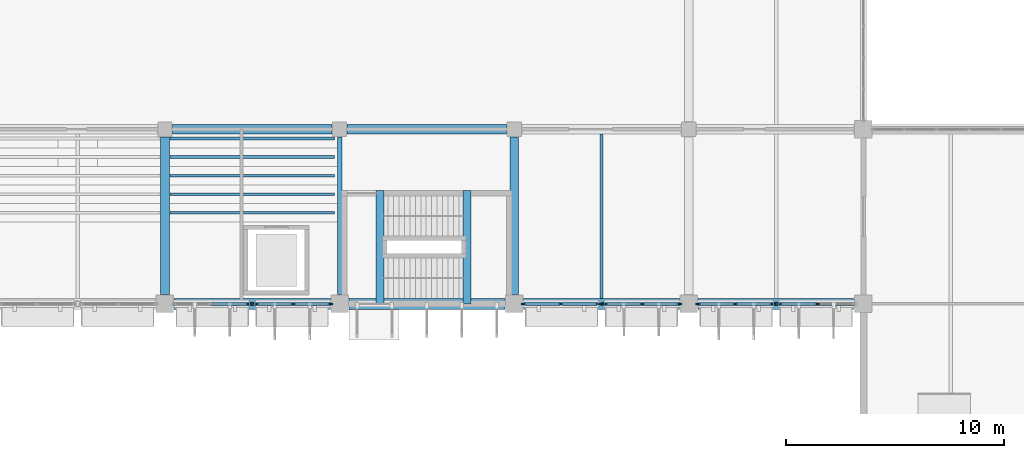
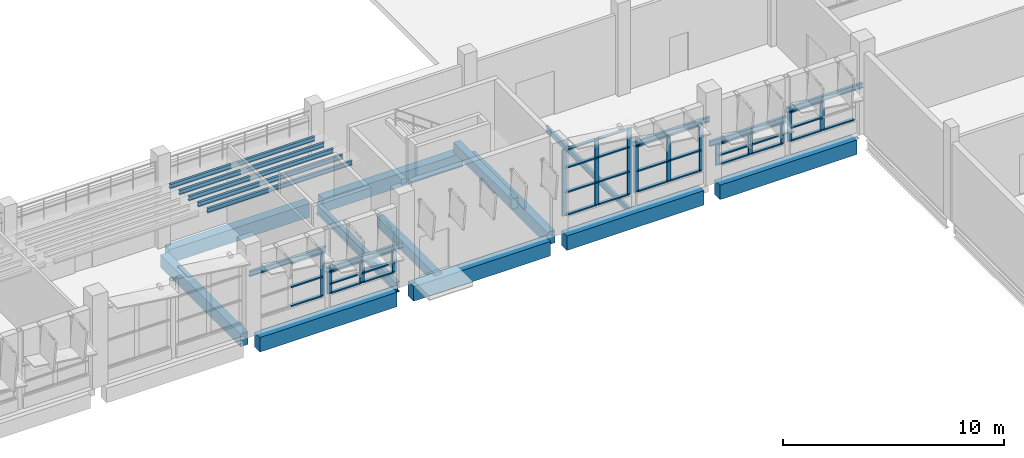
# One storey, part 18 of 103: 48 members, 22 beams, 6 elements without a shape of their own.
"""IFC4 building model written with IfcOpenShell, lengths in metres."""

from ifc_helpers import new_model, si_unit, direction, frame, origin, origin_2d, place, context, subcontext, project, spatial, rectangle, i_section, extrude, material, layer, layer_set, material_profile, profile_set, type_object, element, aggregate, save


model = new_model("IFC4")

# Units and contexts
model_context = context("Model", 3, precision=1e-05, world=origin(), true_north=direction((0.0, 1.0)))
body_context = subcontext(model_context, "Body", "Model", "MODEL_VIEW")
ifc_project = project(units=[si_unit("LENGTHUNIT", "METRE"), si_unit("AREAUNIT", "SQUARE_METRE"), si_unit("VOLUMEUNIT", "CUBIC_METRE"), si_unit("PLANEANGLEUNIT", "RADIAN"), si_unit("MASSUNIT", "GRAM", prefix="KILO")], contexts=[model_context])

# Site, building, storey
site_placement = place(None, origin())
site = spatial("IfcSite", under=ifc_project, at=site_placement, CompositionType="ELEMENT")
building_placement = place(site_placement, origin())
building = spatial("IfcBuilding", under=site, at=building_placement, Name="Drelvana Railside Aquatics Centre", CompositionType="ELEMENT")
storey_placement = place(building_placement, origin())
storey = spatial("IfcBuildingStorey", under=building, at=storey_placement, Name="L00", CompositionType="ELEMENT", Elevation=0.0)

# Curtain wall, member
ifc_material_1 = material(Name="Bronze-anodised aluminium curtain wall", Category="aluminium")
ifc_layer = layer(ifc_material_1, 0.199951171875, Name="Bronze-anodised aluminium curtain wall")
ifc_layer_set = layer_set([ifc_layer], Name="Bronze-anodised aluminium curtain wall")
curtain_wall_type = type_object("IfcCurtainWallType", Name="CW-Z1-SINE", PredefinedType="NOTDEFINED", material=ifc_layer_set)
curtain_wall_1_placement = place(storey_placement, origin())
curtain_wall_1 = element("IfcCurtainWall", 1, at=curtain_wall_1_placement, inside=storey, type_object=curtain_wall_type, Name="Curtain wall CW-01-011", PredefinedType="NOTDEFINED")
ifc_material_2 = material(Name="Bronze-anodised aluminium 6063-T6", Category="aluminium")
ifc_material_profile_1 = material_profile(ifc_material_2, rectangle(XDim=0.074951171875, YDim=0.22509765625, at=origin_2d()), Name="ALU-M 75x225")
ifc_profile_set_1 = profile_set([ifc_material_profile_1], Name="Bronze-anodised aluminium 6063-T6")
member_type_1 = type_object("IfcMemberType", Name="CW-Z1-SINE-MUL", PredefinedType="MULLION", material=ifc_profile_set_1)
member_1_placement = place(storey_placement, frame((67.822509765625, 16.0, 0.64404296875), z_axis=(0.0, 0.0, 1.0), x_axis=(0.0, 1.0, 0.0)))
member_1 = element("IfcMember", 2, at=member_1_placement, type_object=member_type_1, Name="CW-01 mullion 3", PredefinedType="MULLION", context=body_context, shape_type="SweptSolid", body=[
    extrude(rectangle(XDim=0.074951171875, YDim=0.22509765625, at=origin_2d()), origin(), (0.0, 0.0, 1.0), 2.4140625),
])

# Curtain wall, members
curtain_wall_2_placement = place(storey_placement, origin())
curtain_wall_2 = element("IfcCurtainWall", 3, at=curtain_wall_2_placement, inside=storey, type_object=curtain_wall_type, Name="Curtain wall CW-01-012", PredefinedType="NOTDEFINED")
member_2_placement = place(storey_placement, frame((68.177490234375, 16.0, 0.64404296875), z_axis=(0.0, 0.0, 1.0), x_axis=(0.0, 1.0, 0.0)))
member_2 = element("IfcMember", 4, at=member_2_placement, type_object=member_type_1, Name="CW-01 mullion 1", PredefinedType="MULLION", context=body_context, shape_type="SweptSolid", body=[
    extrude(rectangle(XDim=0.074951171875, YDim=0.22509765625, at=origin_2d()), origin(), (0.0, 0.0, 1.0), 1.22607421875),
])
member_3_placement = place(storey_placement, frame((69.873046875, 16.0, 0.64404296875), z_axis=(0.0, 0.0, 1.0), x_axis=(0.0, 1.0, 0.0)))
member_3 = element("IfcMember", 5, at=member_3_placement, type_object=member_type_1, Name="CW-01 mullion 2", PredefinedType="MULLION", context=body_context, shape_type="SweptSolid", body=[
    extrude(rectangle(XDim=0.074951171875, YDim=0.22509765625, at=origin_2d()), origin(), (0.0, 0.0, 1.0), 1.22607421875),
])
member_4_placement = place(storey_placement, frame((71.568603515625, 16.0, 0.64404296875), z_axis=(0.0, 0.0, 1.0), x_axis=(0.0, 1.0, 0.0)))
member_4 = element("IfcMember", 6, at=member_4_placement, type_object=member_type_1, Name="CW-01 mullion 3", PredefinedType="MULLION", context=body_context, shape_type="SweptSolid", body=[
    extrude(rectangle(XDim=0.074951171875, YDim=0.22509765625, at=origin_2d()), origin(), (0.0, 0.0, 1.0), 1.22607421875),
])

curtain_wall_3_placement = place(storey_placement, origin())
curtain_wall_3 = element("IfcCurtainWall", 7, at=curtain_wall_3_placement, inside=storey, type_object=curtain_wall_type, Name="Curtain wall CW-01-013", PredefinedType="NOTDEFINED")
member_5_placement = place(storey_placement, frame((80.431396484375, 16.0, 0.64404296875), z_axis=(0.0, 0.0, 1.0), x_axis=(0.0, 1.0, 0.0)))
member_5 = element("IfcMember", 8, at=member_5_placement, type_object=member_type_1, Name="CW-01 mullion 1", PredefinedType="MULLION", context=body_context, shape_type="SweptSolid", body=[
    extrude(rectangle(XDim=0.074951171875, YDim=0.22509765625, at=origin_2d()), origin(), (0.0, 0.0, 1.0), 3.660888671875),
])
member_6_placement = place(storey_placement, frame((82.126953125, 16.0, 0.64404296875), z_axis=(0.0, 0.0, 1.0), x_axis=(0.0, 1.0, 0.0)))
member_6 = element("IfcMember", 9, at=member_6_placement, type_object=member_type_1, Name="CW-01 mullion 2", PredefinedType="MULLION", context=body_context, shape_type="SweptSolid", body=[
    extrude(rectangle(XDim=0.074951171875, YDim=0.22509765625, at=origin_2d()), origin(), (0.0, 0.0, 1.0), 3.660888671875),
])
member_7_placement = place(storey_placement, frame((83.822509765625, 16.0, 0.64404296875), z_axis=(0.0, 0.0, 1.0), x_axis=(0.0, 1.0, 0.0)))
member_7 = element("IfcMember", 10, at=member_7_placement, type_object=member_type_1, Name="CW-01 mullion 3", PredefinedType="MULLION", context=body_context, shape_type="SweptSolid", body=[
    extrude(rectangle(XDim=0.074951171875, YDim=0.22509765625, at=origin_2d()), origin(), (0.0, 0.0, 1.0), 3.660888671875),
])

curtain_wall_4_placement = place(storey_placement, origin())
curtain_wall_4 = element("IfcCurtainWall", 11, at=curtain_wall_4_placement, inside=storey, type_object=curtain_wall_type, Name="Curtain wall CW-01-014", PredefinedType="NOTDEFINED")
member_8_placement = place(storey_placement, frame((84.177490234375, 16.0, 0.64404296875), z_axis=(0.0, 0.0, 1.0), x_axis=(0.0, 1.0, 0.0)))
member_8 = element("IfcMember", 12, at=member_8_placement, type_object=member_type_1, Name="CW-01 mullion 1", PredefinedType="MULLION", context=body_context, shape_type="SweptSolid", body=[
    extrude(rectangle(XDim=0.074951171875, YDim=0.22509765625, at=origin_2d()), origin(), (0.0, 0.0, 1.0), 2.557861328125),
])
member_9_placement = place(storey_placement, frame((85.873046875, 16.0, 0.64404296875), z_axis=(0.0, 0.0, 1.0), x_axis=(0.0, 1.0, 0.0)))
member_9 = element("IfcMember", 13, at=member_9_placement, type_object=member_type_1, Name="CW-01 mullion 2", PredefinedType="MULLION", context=body_context, shape_type="SweptSolid", body=[
    extrude(rectangle(XDim=0.074951171875, YDim=0.22509765625, at=origin_2d()), origin(), (0.0, 0.0, 1.0), 2.557861328125),
])
member_10_placement = place(storey_placement, frame((87.568603515625, 16.0, 0.64404296875), z_axis=(0.0, 0.0, 1.0), x_axis=(0.0, 1.0, 0.0)))
member_10 = element("IfcMember", 14, at=member_10_placement, type_object=member_type_1, Name="CW-01 mullion 3", PredefinedType="MULLION", context=body_context, shape_type="SweptSolid", body=[
    extrude(rectangle(XDim=0.074951171875, YDim=0.22509765625, at=origin_2d()), origin(), (0.0, 0.0, 1.0), 2.557861328125),
])

curtain_wall_5_placement = place(storey_placement, origin())
curtain_wall_5 = element("IfcCurtainWall", 15, at=curtain_wall_5_placement, inside=storey, type_object=curtain_wall_type, Name="Curtain wall CW-01-015", PredefinedType="NOTDEFINED")
member_11_placement = place(storey_placement, frame((88.431396484375, 16.0, 0.64404296875), z_axis=(0.0, 0.0, 1.0), x_axis=(0.0, 1.0, 0.0)))
member_11 = element("IfcMember", 16, at=member_11_placement, type_object=member_type_1, Name="CW-01 mullion 1", PredefinedType="MULLION", context=body_context, shape_type="SweptSolid", body=[
    extrude(rectangle(XDim=0.074951171875, YDim=0.22509765625, at=origin_2d()), origin(), (0.0, 0.0, 1.0), 1.181884765625),
])
member_12_placement = place(storey_placement, frame((90.126953125, 16.0, 0.64404296875), z_axis=(0.0, 0.0, 1.0), x_axis=(0.0, 1.0, 0.0)))
member_12 = element("IfcMember", 17, at=member_12_placement, type_object=member_type_1, Name="CW-01 mullion 2", PredefinedType="MULLION", context=body_context, shape_type="SweptSolid", body=[
    extrude(rectangle(XDim=0.074951171875, YDim=0.22509765625, at=origin_2d()), origin(), (0.0, 0.0, 1.0), 1.181884765625),
])
member_13_placement = place(storey_placement, frame((91.822509765625, 16.0, 0.64404296875), z_axis=(0.0, 0.0, 1.0), x_axis=(0.0, 1.0, 0.0)))
member_13 = element("IfcMember", 18, at=member_13_placement, type_object=member_type_1, Name="CW-01 mullion 3", PredefinedType="MULLION", context=body_context, shape_type="SweptSolid", body=[
    extrude(rectangle(XDim=0.074951171875, YDim=0.22509765625, at=origin_2d()), origin(), (0.0, 0.0, 1.0), 1.181884765625),
])

curtain_wall_6_placement = place(storey_placement, origin())
curtain_wall_6 = element("IfcCurtainWall", 19, at=curtain_wall_6_placement, inside=storey, type_object=curtain_wall_type, Name="Curtain wall CW-01-016", PredefinedType="NOTDEFINED")
member_14_placement = place(storey_placement, frame((92.177490234375, 16.0, 0.64404296875), z_axis=(0.0, 0.0, 1.0), x_axis=(0.0, 1.0, 0.0)))
member_14 = element("IfcMember", 20, at=member_14_placement, type_object=member_type_1, Name="CW-01 mullion 1", PredefinedType="MULLION", context=body_context, shape_type="SweptSolid", body=[
    extrude(rectangle(XDim=0.074951171875, YDim=0.22509765625, at=origin_2d()), origin(), (0.0, 0.0, 1.0), 1.635009765625),
])
member_15_placement = place(storey_placement, frame((93.873046875, 16.0, 0.64404296875), z_axis=(0.0, 0.0, 1.0), x_axis=(0.0, 1.0, 0.0)))
member_15 = element("IfcMember", 21, at=member_15_placement, type_object=member_type_1, Name="CW-01 mullion 2", PredefinedType="MULLION", context=body_context, shape_type="SweptSolid", body=[
    extrude(rectangle(XDim=0.074951171875, YDim=0.22509765625, at=origin_2d()), origin(), (0.0, 0.0, 1.0), 1.635009765625),
])

# Member
ifc_material_profile_2 = material_profile(ifc_material_2, rectangle(XDim=0.159912109375, YDim=0.070068359375, at=origin_2d()), Name="ALU-T 70x160")
ifc_profile_set_2 = profile_set([ifc_material_profile_2], Name="Bronze-anodised aluminium 6063-T6")
member_type_2 = type_object("IfcMemberType", Name="CW-Z1-SINE-TRN", PredefinedType="USERDEFINED", material=ifc_profile_set_2)
member_16_placement = place(storey_placement, frame((66.159423828125, 16.0, 0.678955078125), z_axis=(1.0, 0.0, 0.0), x_axis=(0.0, 1.0, 0.0)))
member_16 = element("IfcMember", 22, at=member_16_placement, type_object=member_type_2, Name="CW-01 transom 2.1", ObjectType="TRANSOM", PredefinedType="USERDEFINED", context=body_context, shape_type="SweptSolid", body=[
    extrude(rectangle(XDim=0.159912109375, YDim=0.070068359375, at=origin_2d()), origin(), (0.0, 0.0, 1.0), 1.630615234375),
])

member_17_placement = place(storey_placement, frame((66.159423828125, 16.0, 1.72998046875), z_axis=(1.0, 0.0, 0.0), x_axis=(0.0, 1.0, 0.0)))
member_17 = element("IfcMember", 23, at=member_17_placement, type_object=member_type_2, Name="CW-01 transom 2.2", ObjectType="TRANSOM", PredefinedType="USERDEFINED", context=body_context, shape_type="SweptSolid", body=[
    extrude(rectangle(XDim=0.159912109375, YDim=0.070068359375, at=origin_2d()), origin(), (0.0, 0.0, 1.0), 1.630615234375),
])

member_18_placement = place(storey_placement, frame((66.159423828125, 16.0, 3.02294921875), z_axis=(1.0, 0.0, 0.0), x_axis=(0.0, 1.0, 0.0)))
member_18 = element("IfcMember", 24, at=member_18_placement, type_object=member_type_2, Name="CW-01 transom 2.3", ObjectType="TRANSOM", PredefinedType="USERDEFINED", context=body_context, shape_type="SweptSolid", body=[
    extrude(rectangle(XDim=0.159912109375, YDim=0.070068359375, at=origin_2d()), origin(), (0.0, 0.0, 1.0), 1.630615234375),
])

aggregate(curtain_wall_1, [member_1, member_16, member_17, member_18])

member_19_placement = place(storey_placement, frame((68.2099609375, 16.0, 0.678955078125), z_axis=(1.0, 0.0, 0.0), x_axis=(0.0, 1.0, 0.0)))
member_19 = element("IfcMember", 25, at=member_19_placement, type_object=member_type_2, Name="CW-01 transom 1.1", ObjectType="TRANSOM", PredefinedType="USERDEFINED", context=body_context, shape_type="SweptSolid", body=[
    extrude(rectangle(XDim=0.159912109375, YDim=0.070068359375, at=origin_2d()), origin(), (0.0, 0.0, 1.0), 1.630615234375),
])

member_20_placement = place(storey_placement, frame((68.2099609375, 16.0, 1.196044921875), z_axis=(1.0, 0.0, 0.0), x_axis=(0.0, 1.0, 0.0)))
member_20 = element("IfcMember", 26, at=member_20_placement, type_object=member_type_2, Name="CW-01 transom 1.2", ObjectType="TRANSOM", PredefinedType="USERDEFINED", context=body_context, shape_type="SweptSolid", body=[
    extrude(rectangle(XDim=0.159912109375, YDim=0.070068359375, at=origin_2d()), origin(), (0.0, 0.0, 1.0), 1.630615234375),
])

member_21_placement = place(storey_placement, frame((68.2099609375, 16.0, 1.8349609375), z_axis=(1.0, 0.0, 0.0), x_axis=(0.0, 1.0, 0.0)))
member_21 = element("IfcMember", 27, at=member_21_placement, type_object=member_type_2, Name="CW-01 transom 1.3", ObjectType="TRANSOM", PredefinedType="USERDEFINED", context=body_context, shape_type="SweptSolid", body=[
    extrude(rectangle(XDim=0.159912109375, YDim=0.070068359375, at=origin_2d()), origin(), (0.0, 0.0, 1.0), 1.630615234375),
])

member_22_placement = place(storey_placement, frame((69.905517578125, 16.0, 0.678955078125), z_axis=(1.0, 0.0, 0.0), x_axis=(0.0, 1.0, 0.0)))
member_22 = element("IfcMember", 28, at=member_22_placement, type_object=member_type_2, Name="CW-01 transom 2.1", ObjectType="TRANSOM", PredefinedType="USERDEFINED", context=body_context, shape_type="SweptSolid", body=[
    extrude(rectangle(XDim=0.159912109375, YDim=0.070068359375, at=origin_2d()), origin(), (0.0, 0.0, 1.0), 1.63037109375),
])

member_23_placement = place(storey_placement, frame((69.905517578125, 16.0, 1.196044921875), z_axis=(1.0, 0.0, 0.0), x_axis=(0.0, 1.0, 0.0)))
member_23 = element("IfcMember", 29, at=member_23_placement, type_object=member_type_2, Name="CW-01 transom 2.2", ObjectType="TRANSOM", PredefinedType="USERDEFINED", context=body_context, shape_type="SweptSolid", body=[
    extrude(rectangle(XDim=0.159912109375, YDim=0.070068359375, at=origin_2d()), origin(), (0.0, 0.0, 1.0), 1.63037109375),
])

member_24_placement = place(storey_placement, frame((69.905517578125, 16.0, 1.8349609375), z_axis=(1.0, 0.0, 0.0), x_axis=(0.0, 1.0, 0.0)))
member_24 = element("IfcMember", 30, at=member_24_placement, type_object=member_type_2, Name="CW-01 transom 2.3", ObjectType="TRANSOM", PredefinedType="USERDEFINED", context=body_context, shape_type="SweptSolid", body=[
    extrude(rectangle(XDim=0.159912109375, YDim=0.070068359375, at=origin_2d()), origin(), (0.0, 0.0, 1.0), 1.63037109375),
])

aggregate(curtain_wall_2, [member_2, member_3, member_4, member_19, member_20, member_21, member_22, member_23, member_24])

member_25_placement = place(storey_placement, frame((80.464111328125, 16.0, 0.678955078125), z_axis=(1.0, 0.0, 0.0), x_axis=(0.0, 1.0, 0.0)))
member_25 = element("IfcMember", 31, at=member_25_placement, type_object=member_type_2, Name="CW-01 transom 1.1", ObjectType="TRANSOM", PredefinedType="USERDEFINED", context=body_context, shape_type="SweptSolid", body=[
    extrude(rectangle(XDim=0.159912109375, YDim=0.070068359375, at=origin_2d()), origin(), (0.0, 0.0, 1.0), 1.63037109375),
])

member_26_placement = place(storey_placement, frame((80.464111328125, 16.0, 1.925048828125), z_axis=(1.0, 0.0, 0.0), x_axis=(0.0, 1.0, 0.0)))
member_26 = element("IfcMember", 32, at=member_26_placement, type_object=member_type_2, Name="CW-01 transom 1.2", ObjectType="TRANSOM", PredefinedType="USERDEFINED", context=body_context, shape_type="SweptSolid", body=[
    extrude(rectangle(XDim=0.159912109375, YDim=0.070068359375, at=origin_2d()), origin(), (0.0, 0.0, 1.0), 1.63037109375),
])

member_27_placement = place(storey_placement, frame((80.464111328125, 16.0, 3.280029296875), z_axis=(1.0, 0.0, 0.0), x_axis=(0.0, 1.0, 0.0)))
member_27 = element("IfcMember", 33, at=member_27_placement, type_object=member_type_2, Name="CW-01 transom 1.3", ObjectType="TRANSOM", PredefinedType="USERDEFINED", context=body_context, shape_type="SweptSolid", body=[
    extrude(rectangle(XDim=0.159912109375, YDim=0.070068359375, at=origin_2d()), origin(), (0.0, 0.0, 1.0), 1.63037109375),
])

member_28_placement = place(storey_placement, frame((80.464111328125, 16.0, 4.27001953125), z_axis=(1.0, 0.0, 0.0), x_axis=(0.0, 1.0, 0.0)))
member_28 = element("IfcMember", 34, at=member_28_placement, type_object=member_type_2, Name="CW-01 transom 1.4", ObjectType="TRANSOM", PredefinedType="USERDEFINED", context=body_context, shape_type="SweptSolid", body=[
    extrude(rectangle(XDim=0.159912109375, YDim=0.070068359375, at=origin_2d()), origin(), (0.0, 0.0, 1.0), 1.63037109375),
])

member_29_placement = place(storey_placement, frame((82.159423828125, 16.0, 0.678955078125), z_axis=(1.0, 0.0, 0.0), x_axis=(0.0, 1.0, 0.0)))
member_29 = element("IfcMember", 35, at=member_29_placement, type_object=member_type_2, Name="CW-01 transom 2.1", ObjectType="TRANSOM", PredefinedType="USERDEFINED", context=body_context, shape_type="SweptSolid", body=[
    extrude(rectangle(XDim=0.159912109375, YDim=0.070068359375, at=origin_2d()), origin(), (0.0, 0.0, 1.0), 1.630615234375),
])

member_30_placement = place(storey_placement, frame((82.159423828125, 16.0, 1.925048828125), z_axis=(1.0, 0.0, 0.0), x_axis=(0.0, 1.0, 0.0)))
member_30 = element("IfcMember", 36, at=member_30_placement, type_object=member_type_2, Name="CW-01 transom 2.2", ObjectType="TRANSOM", PredefinedType="USERDEFINED", context=body_context, shape_type="SweptSolid", body=[
    extrude(rectangle(XDim=0.159912109375, YDim=0.070068359375, at=origin_2d()), origin(), (0.0, 0.0, 1.0), 1.630615234375),
])

member_31_placement = place(storey_placement, frame((82.159423828125, 16.0, 3.280029296875), z_axis=(1.0, 0.0, 0.0), x_axis=(0.0, 1.0, 0.0)))
member_31 = element("IfcMember", 37, at=member_31_placement, type_object=member_type_2, Name="CW-01 transom 2.3", ObjectType="TRANSOM", PredefinedType="USERDEFINED", context=body_context, shape_type="SweptSolid", body=[
    extrude(rectangle(XDim=0.159912109375, YDim=0.070068359375, at=origin_2d()), origin(), (0.0, 0.0, 1.0), 1.630615234375),
])

member_32_placement = place(storey_placement, frame((82.159423828125, 16.0, 4.27001953125), z_axis=(1.0, 0.0, 0.0), x_axis=(0.0, 1.0, 0.0)))
member_32 = element("IfcMember", 38, at=member_32_placement, type_object=member_type_2, Name="CW-01 transom 2.4", ObjectType="TRANSOM", PredefinedType="USERDEFINED", context=body_context, shape_type="SweptSolid", body=[
    extrude(rectangle(XDim=0.159912109375, YDim=0.070068359375, at=origin_2d()), origin(), (0.0, 0.0, 1.0), 1.630615234375),
])

aggregate(curtain_wall_3, [member_5, member_6, member_7, member_25, member_26, member_27, member_28, member_29, member_30, member_31, member_32])

member_33_placement = place(storey_placement, frame((84.2099609375, 16.0, 0.678955078125), z_axis=(1.0, 0.0, 0.0), x_axis=(0.0, 1.0, 0.0)))
member_33 = element("IfcMember", 39, at=member_33_placement, type_object=member_type_2, Name="CW-01 transom 1.1", ObjectType="TRANSOM", PredefinedType="USERDEFINED", context=body_context, shape_type="SweptSolid", body=[
    extrude(rectangle(XDim=0.159912109375, YDim=0.070068359375, at=origin_2d()), origin(), (0.0, 0.0, 1.0), 1.630615234375),
])

member_34_placement = place(storey_placement, frame((84.2099609375, 16.0, 1.794921875), z_axis=(1.0, 0.0, 0.0), x_axis=(0.0, 1.0, 0.0)))
member_34 = element("IfcMember", 40, at=member_34_placement, type_object=member_type_2, Name="CW-01 transom 1.2", ObjectType="TRANSOM", PredefinedType="USERDEFINED", context=body_context, shape_type="SweptSolid", body=[
    extrude(rectangle(XDim=0.159912109375, YDim=0.070068359375, at=origin_2d()), origin(), (0.0, 0.0, 1.0), 1.630615234375),
])

member_35_placement = place(storey_placement, frame((84.2099609375, 16.0, 3.1669921875), z_axis=(1.0, 0.0, 0.0), x_axis=(0.0, 1.0, 0.0)))
member_35 = element("IfcMember", 41, at=member_35_placement, type_object=member_type_2, Name="CW-01 transom 1.3", ObjectType="TRANSOM", PredefinedType="USERDEFINED", context=body_context, shape_type="SweptSolid", body=[
    extrude(rectangle(XDim=0.159912109375, YDim=0.070068359375, at=origin_2d()), origin(), (0.0, 0.0, 1.0), 1.630615234375),
])

member_36_placement = place(storey_placement, frame((85.905517578125, 16.0, 0.678955078125), z_axis=(1.0, 0.0, 0.0), x_axis=(0.0, 1.0, 0.0)))
member_36 = element("IfcMember", 42, at=member_36_placement, type_object=member_type_2, Name="CW-01 transom 2.1", ObjectType="TRANSOM", PredefinedType="USERDEFINED", context=body_context, shape_type="SweptSolid", body=[
    extrude(rectangle(XDim=0.159912109375, YDim=0.070068359375, at=origin_2d()), origin(), (0.0, 0.0, 1.0), 1.63037109375),
])

member_37_placement = place(storey_placement, frame((85.905517578125, 16.0, 1.794921875), z_axis=(1.0, 0.0, 0.0), x_axis=(0.0, 1.0, 0.0)))
member_37 = element("IfcMember", 43, at=member_37_placement, type_object=member_type_2, Name="CW-01 transom 2.2", ObjectType="TRANSOM", PredefinedType="USERDEFINED", context=body_context, shape_type="SweptSolid", body=[
    extrude(rectangle(XDim=0.159912109375, YDim=0.070068359375, at=origin_2d()), origin(), (0.0, 0.0, 1.0), 1.63037109375),
])

member_38_placement = place(storey_placement, frame((85.905517578125, 16.0, 3.1669921875), z_axis=(1.0, 0.0, 0.0), x_axis=(0.0, 1.0, 0.0)))
member_38 = element("IfcMember", 44, at=member_38_placement, type_object=member_type_2, Name="CW-01 transom 2.3", ObjectType="TRANSOM", PredefinedType="USERDEFINED", context=body_context, shape_type="SweptSolid", body=[
    extrude(rectangle(XDim=0.159912109375, YDim=0.070068359375, at=origin_2d()), origin(), (0.0, 0.0, 1.0), 1.63037109375),
])

aggregate(curtain_wall_4, [member_8, member_9, member_10, member_33, member_34, member_35, member_36, member_37, member_38])

member_39_placement = place(storey_placement, frame((88.464111328125, 16.0, 0.678955078125), z_axis=(1.0, 0.0, 0.0), x_axis=(0.0, 1.0, 0.0)))
member_39 = element("IfcMember", 45, at=member_39_placement, type_object=member_type_2, Name="CW-01 transom 1.1", ObjectType="TRANSOM", PredefinedType="USERDEFINED", context=body_context, shape_type="SweptSolid", body=[
    extrude(rectangle(XDim=0.159912109375, YDim=0.070068359375, at=origin_2d()), origin(), (0.0, 0.0, 1.0), 1.63037109375),
])

member_40_placement = place(storey_placement, frame((88.464111328125, 16.0, 1.176025390625), z_axis=(1.0, 0.0, 0.0), x_axis=(0.0, 1.0, 0.0)))
member_40 = element("IfcMember", 46, at=member_40_placement, type_object=member_type_2, Name="CW-01 transom 1.2", ObjectType="TRANSOM", PredefinedType="USERDEFINED", context=body_context, shape_type="SweptSolid", body=[
    extrude(rectangle(XDim=0.159912109375, YDim=0.070068359375, at=origin_2d()), origin(), (0.0, 0.0, 1.0), 1.63037109375),
])

member_41_placement = place(storey_placement, frame((88.464111328125, 16.0, 1.791015625), z_axis=(1.0, 0.0, 0.0), x_axis=(0.0, 1.0, 0.0)))
member_41 = element("IfcMember", 47, at=member_41_placement, type_object=member_type_2, Name="CW-01 transom 1.3", ObjectType="TRANSOM", PredefinedType="USERDEFINED", context=body_context, shape_type="SweptSolid", body=[
    extrude(rectangle(XDim=0.159912109375, YDim=0.070068359375, at=origin_2d()), origin(), (0.0, 0.0, 1.0), 1.63037109375),
])

member_42_placement = place(storey_placement, frame((90.159423828125, 16.0, 0.678955078125), z_axis=(1.0, 0.0, 0.0), x_axis=(0.0, 1.0, 0.0)))
member_42 = element("IfcMember", 48, at=member_42_placement, type_object=member_type_2, Name="CW-01 transom 2.1", ObjectType="TRANSOM", PredefinedType="USERDEFINED", context=body_context, shape_type="SweptSolid", body=[
    extrude(rectangle(XDim=0.159912109375, YDim=0.070068359375, at=origin_2d()), origin(), (0.0, 0.0, 1.0), 1.630615234375),
])

member_43_placement = place(storey_placement, frame((90.159423828125, 16.0, 1.176025390625), z_axis=(1.0, 0.0, 0.0), x_axis=(0.0, 1.0, 0.0)))
member_43 = element("IfcMember", 49, at=member_43_placement, type_object=member_type_2, Name="CW-01 transom 2.2", ObjectType="TRANSOM", PredefinedType="USERDEFINED", context=body_context, shape_type="SweptSolid", body=[
    extrude(rectangle(XDim=0.159912109375, YDim=0.070068359375, at=origin_2d()), origin(), (0.0, 0.0, 1.0), 1.630615234375),
])

member_44_placement = place(storey_placement, frame((90.159423828125, 16.0, 1.791015625), z_axis=(1.0, 0.0, 0.0), x_axis=(0.0, 1.0, 0.0)))
member_44 = element("IfcMember", 50, at=member_44_placement, type_object=member_type_2, Name="CW-01 transom 2.3", ObjectType="TRANSOM", PredefinedType="USERDEFINED", context=body_context, shape_type="SweptSolid", body=[
    extrude(rectangle(XDim=0.159912109375, YDim=0.070068359375, at=origin_2d()), origin(), (0.0, 0.0, 1.0), 1.630615234375),
])

aggregate(curtain_wall_5, [member_11, member_12, member_13, member_39, member_40, member_41, member_42, member_43, member_44])

member_45_placement = place(storey_placement, frame((92.2099609375, 16.0, 0.678955078125), z_axis=(1.0, 0.0, 0.0), x_axis=(0.0, 1.0, 0.0)))
member_45 = element("IfcMember", 51, at=member_45_placement, type_object=member_type_2, Name="CW-01 transom 1.1", ObjectType="TRANSOM", PredefinedType="USERDEFINED", context=body_context, shape_type="SweptSolid", body=[
    extrude(rectangle(XDim=0.159912109375, YDim=0.070068359375, at=origin_2d()), origin(), (0.0, 0.0, 1.0), 1.630615234375),
])

member_46_placement = place(storey_placement, frame((92.2099609375, 16.0, 1.3798828125), z_axis=(1.0, 0.0, 0.0), x_axis=(0.0, 1.0, 0.0)))
member_46 = element("IfcMember", 52, at=member_46_placement, type_object=member_type_2, Name="CW-01 transom 1.2", ObjectType="TRANSOM", PredefinedType="USERDEFINED", context=body_context, shape_type="SweptSolid", body=[
    extrude(rectangle(XDim=0.159912109375, YDim=0.070068359375, at=origin_2d()), origin(), (0.0, 0.0, 1.0), 1.630615234375),
])

member_47_placement = place(storey_placement, frame((92.2099609375, 16.0, 2.243896484375), z_axis=(1.0, 0.0, 0.0), x_axis=(0.0, 1.0, 0.0)))
member_47 = element("IfcMember", 53, at=member_47_placement, type_object=member_type_2, Name="CW-01 transom 1.3", ObjectType="TRANSOM", PredefinedType="USERDEFINED", context=body_context, shape_type="SweptSolid", body=[
    extrude(rectangle(XDim=0.159912109375, YDim=0.070068359375, at=origin_2d()), origin(), (0.0, 0.0, 1.0), 1.630615234375),
])

member_48_placement = place(storey_placement, frame((93.905517578125, 16.0, 0.678955078125), z_axis=(1.0, 0.0, 0.0), x_axis=(0.0, 1.0, 0.0)))
member_48 = element("IfcMember", 54, at=member_48_placement, type_object=member_type_2, Name="CW-01 transom 2.1", ObjectType="TRANSOM", PredefinedType="USERDEFINED", context=body_context, shape_type="SweptSolid", body=[
    extrude(rectangle(XDim=0.159912109375, YDim=0.070068359375, at=origin_2d()), origin(), (0.0, 0.0, 1.0), 1.63037109375),
])

aggregate(curtain_wall_6, [member_14, member_15, member_45, member_46, member_47, member_48])

# Beams
ifc_material_3 = material(Name="Concrete C40/50", Category="concrete")
ifc_material_profile_3 = material_profile(ifc_material_3, rectangle(XDim=0.35009765625, YDim=0.550048828125, at=origin_2d()), Name="RC 350x550")
ifc_profile_set_3 = profile_set([ifc_material_profile_3], Name="Concrete C40/50")
beam_type_1 = type_object("IfcBeamType", Name="STR-BM-BM-01-RC-350x550", PredefinedType="BEAM", material=ifc_profile_set_3)
for number, where, z_axis, x_axis, name in (
    (55, (73.85009765625, 16.0, -0.47509765625), (0.0, 1.0, 0.0), (-1.0, 0.0, 0.0), "Stair ST-02 L00 landing beam"),
    (56, (77.840087890625, 16.0, 2.22509765625), (0.0, 1.0, 0.0), (-1.0, 0.0, 0.0), "Stair ST-02 L00 mid-landing beam"),
):
    element("IfcBeam", number, at=place(storey_placement, frame(where, z_axis=z_axis, x_axis=x_axis)), inside=storey, type_object=beam_type_1, Name=name, PredefinedType="BEAM", context=body_context, shape_type="SweptSolid", body=[
        extrude(rectangle(XDim=0.35009765625, YDim=0.550048828125, at=origin_2d()), origin(), (0.0, 0.0, 1.0), 5.199951171875),
    ])
ifc_material_profile_4 = material_profile(ifc_material_3, rectangle(XDim=0.39990234375, YDim=0.699951171875, at=origin_2d()), Name="RC 400x700")
ifc_profile_set_4 = profile_set([ifc_material_profile_4], Name="Concrete C40/50")
beam_type_2 = type_object("IfcBeamType", Name="STR-BM-BM-03-RC-400x700", PredefinedType="BEAM", material=ifc_profile_set_4)
for number, where, z_axis, x_axis, name in (
    (57, (64.0, 16.425048828125, -0.679931640625), (0.0, 1.0, 0.0), (-1.0, 0.0, 0.0), "Girder BM-03 (L00)"),
    (58, (80.0, 16.425048828125, -0.679931640625), (0.0, 1.0, 0.0), (-1.0, 0.0, 0.0), "Girder BM-03 (L00)"),
):
    element("IfcBeam", number, at=place(storey_placement, frame(where, z_axis=z_axis, x_axis=x_axis)), inside=storey, type_object=beam_type_2, Name=name, PredefinedType="BEAM", context=body_context, shape_type="SweptSolid", body=[
        extrude(rectangle(XDim=0.39990234375, YDim=0.699951171875, at=origin_2d()), origin(), (0.0, 0.0, 1.0), 7.224853515625),
    ])
ifc_material_profile_5 = material_profile(ifc_material_3, rectangle(XDim=0.449951171875, YDim=0.75, at=origin_2d()), Name="RC 450x750")
ifc_profile_set_5 = profile_set([ifc_material_profile_5], Name="Concrete C40/50")
beam_type_3 = type_object("IfcBeamType", Name="STR-BM-BM-04-RC-450x750", PredefinedType="BEAM", material=ifc_profile_set_5)
for number, where, z_axis, x_axis, name in (
    (59, (64.35009765625, 24.0, -0.705078125), (1.0, 0.0, 0.0), (0.0, 1.0, 0.0), "Girder BM-04 (L00)"),
    (60, (72.35009765625, 24.0, -0.705078125), (1.0, 0.0, 0.0), (0.0, 1.0, 0.0), "Girder BM-04 (L00)"),
):
    element("IfcBeam", number, at=place(storey_placement, frame(where, z_axis=z_axis, x_axis=x_axis)), inside=storey, type_object=beam_type_3, Name=name, PredefinedType="BEAM", context=body_context, shape_type="SweptSolid", body=[
        extrude(rectangle(XDim=0.449951171875, YDim=0.75, at=origin_2d()), origin(), (0.0, 0.0, 1.0), 7.2998046875),
    ])
ifc_material_profile_6 = material_profile(ifc_material_3, rectangle(XDim=0.5, YDim=0.800048828125, at=origin_2d()), Name="RC 500x800")
ifc_profile_set_6 = profile_set([ifc_material_profile_6], Name="Concrete C40/50")
beam_type_4 = type_object("IfcBeamType", Name="STR-BM-BM-06-RC-500x800", PredefinedType="SPANDREL", material=ifc_profile_set_6)
for number, where, z_axis, x_axis, name in (
    (61, (64.425048828125, 16.0, -0.72998046875), (1.0, 0.0, 0.0), (0.0, 1.0, 0.0), "Girder BM-06 (L00)"),
    (62, (72.425048828125, 16.0, -0.72998046875), (1.0, 0.0, 0.0), (0.0, 1.0, 0.0), "Girder BM-06 (L00)"),
    (63, (80.425048828125, 16.0, -0.72998046875), (1.0, 0.0, 0.0), (0.0, 1.0, 0.0), "Girder BM-06 (L00)"),
):
    element("IfcBeam", number, at=place(storey_placement, frame(where, z_axis=z_axis, x_axis=x_axis)), inside=storey, type_object=beam_type_4, Name=name, PredefinedType="SPANDREL", context=body_context, shape_type="SweptSolid", body=[
        extrude(rectangle(XDim=0.5, YDim=0.800048828125, at=origin_2d()), origin(), (0.0, 0.0, 1.0), 7.14990234375),
    ])
beam_1_placement = place(storey_placement, frame((88.425048828125, 16.0, -0.72998046875), z_axis=(1.0, 0.0, 0.0), x_axis=(0.0, 1.0, 0.0)))
element("IfcBeam", 64, at=beam_1_placement, inside=storey, type_object=beam_type_4, Name="Girder BM-06 (L00)", PredefinedType="SPANDREL", context=body_context, shape_type="SweptSolid", body=[
    extrude(rectangle(XDim=0.5, YDim=0.800048828125, at=origin_2d()), origin(), (0.0, 0.0, 1.0), 7.125),
])
ifc_material_4 = material(Name="Structural steel S355", Category="steel")
ifc_material_profile_7 = material_profile(ifc_material_4, i_section(OverallWidth=0.2099609375, OverallDepth=0.550048828125, WebThickness=0.010986328125, FlangeThickness=0.01708984375, at=origin_2d()), Name="IPE 550")
ifc_profile_set_7 = profile_set([ifc_material_profile_7], Name="Structural steel S355")
beam_type_5 = type_object("IfcBeamType", Name="STR-SBM-SB-04-IPE-550", PredefinedType="SPANDREL", material=ifc_profile_set_7)
beam_2_placement = place(storey_placement, frame((72.0, 16.425048828125, -0.60498046875), z_axis=(0.0, 1.0, 0.0), x_axis=(-1.0, 0.0, 0.0)))
element("IfcBeam", 65, at=beam_2_placement, inside=storey, type_object=beam_type_5, Name="Girder SB-04 (L00)", PredefinedType="SPANDREL", context=body_context, shape_type="SweptSolid", body=[
    extrude(i_section(OverallWidth=0.2099609375, OverallDepth=0.550048828125, WebThickness=0.010986328125, FlangeThickness=0.01708984375, at=origin_2d()), origin(), (0.0, 0.0, 1.0), 7.224853515625),
])
ifc_material_profile_8 = material_profile(ifc_material_4, i_section(OverallWidth=0.1201171875, OverallDepth=0.239990234375, WebThickness=0.006103515625, FlangeThickness=0.009765625, at=origin_2d()), Name="IPE 240")
ifc_profile_set_8 = profile_set([ifc_material_profile_8], Name="Structural steel S355")
beam_type_6 = type_object("IfcBeamType", Name="STR-SBM-SJ-01-IPE-240", PredefinedType="JOIST", material=ifc_profile_set_8)
for number, where, z_axis, x_axis, name in (
    (66, (64.22509765625, 23.574951171875, 3.346923828125), (1.0, 0.0, 0.0), (0.0, 1.0, 0.0), "Lower stand tier bearer S5.R1"),
    (67, (64.22509765625, 22.72509765625, 3.53076171875), (1.0, 0.0, 0.0), (0.0, 1.0, 0.0), "Lower stand tier bearer S5.R2"),
    (68, (64.22509765625, 21.875, 3.714599609375), (1.0, 0.0, 0.0), (0.0, 1.0, 0.0), "Lower stand tier bearer S5.R3"),
    (69, (64.22509765625, 21.02490234375, 3.898193359375), (1.0, 0.0, 0.0), (0.0, 1.0, 0.0), "Lower stand tier bearer S5.R4"),
    (70, (64.22509765625, 20.175048828125, 4.082275390625), (1.0, 0.0, 0.0), (0.0, 1.0, 0.0), "Lower stand tier bearer S5.R5"),
):
    element("IfcBeam", number, at=place(storey_placement, frame(where, z_axis=z_axis, x_axis=x_axis)), inside=storey, type_object=beam_type_6, Name=name, PredefinedType="JOIST", context=body_context, shape_type="SweptSolid", body=[
        extrude(i_section(OverallWidth=0.1201171875, OverallDepth=0.239990234375, WebThickness=0.006103515625, FlangeThickness=0.009765625, at=origin_2d()), origin(), (0.0, 0.0, 1.0), 7.5498046875),
    ])
ifc_material_profile_9 = material_profile(ifc_material_4, i_section(OverallWidth=0.135009765625, OverallDepth=0.27001953125, WebThickness=0.006591796875, FlangeThickness=0.01025390625, at=origin_2d()), Name="IPE 270")
ifc_profile_set_9 = profile_set([ifc_material_profile_9], Name="Structural steel S355")
beam_type_7 = type_object("IfcBeamType", Name="STR-SBM-SJ-02-IPE-270", PredefinedType="JOIST", material=ifc_profile_set_9)
for number, where, z_axis, x_axis, name in (
    (71, (64.0, 16.0, 3.193115234375), (1.0, 0.0, 0.0), (0.0, 1.0, 0.0), "Sine-wave spandrel lintel beam V1S-7.1"),
    (72, (68.0, 16.0, 2.0048828125), (1.0, 0.0, 0.0), (0.0, 1.0, 0.0), "Sine-wave spandrel lintel beam V1S-7.2"),
    (73, (84.0, 16.0, 3.3369140625), (1.0, 0.0, 0.0), (0.0, 1.0, 0.0), "Sine-wave spandrel lintel beam V1S-9.2"),
    (74, (88.0, 16.0, 1.9609375), (1.0, 0.0, 0.0), (0.0, 1.0, 0.0), "Sine-wave spandrel lintel beam V1S-10.1"),
    (75, (92.0, 16.0, 2.4140625), (1.0, 0.0, 0.0), (0.0, 1.0, 0.0), "Sine-wave spandrel lintel beam V1S-10.2"),
):
    element("IfcBeam", number, at=place(storey_placement, frame(where, z_axis=z_axis, x_axis=x_axis)), inside=storey, type_object=beam_type_7, Name=name, PredefinedType="JOIST", context=body_context, shape_type="SweptSolid", body=[
        extrude(i_section(OverallWidth=0.135009765625, OverallDepth=0.27001953125, WebThickness=0.006591796875, FlangeThickness=0.01025390625, at=origin_2d()), origin(), (0.0, 0.0, 1.0), 4.0),
    ])
ifc_material_profile_10 = material_profile(ifc_material_4, i_section(OverallWidth=0.14990234375, OverallDepth=0.300048828125, WebThickness=0.007080078125, FlangeThickness=0.0107421875, at=origin_2d()), Name="IPE 300")
ifc_profile_set_10 = profile_set([ifc_material_profile_10], Name="Structural steel S355")
beam_type_8 = type_object("IfcBeamType", Name="STR-SBM-SJ-03-IPE-300", PredefinedType="JOIST", material=ifc_profile_set_10)
beam_3_placement = place(storey_placement, frame((84.0, 16.25, -0.47998046875), z_axis=(0.0, 1.0, 0.0), x_axis=(-1.0, 0.0, 0.0)))
element("IfcBeam", 76, at=beam_3_placement, inside=storey, type_object=beam_type_8, Name="Secondary floor joist SJ-03 (L00)", PredefinedType="JOIST", context=body_context, shape_type="SweptSolid", body=[
    extrude(i_section(OverallWidth=0.14990234375, OverallDepth=0.300048828125, WebThickness=0.007080078125, FlangeThickness=0.0107421875, at=origin_2d()), origin(), (0.0, 0.0, 1.0), 7.52490234375),
])

save(model, "model.ifc")
